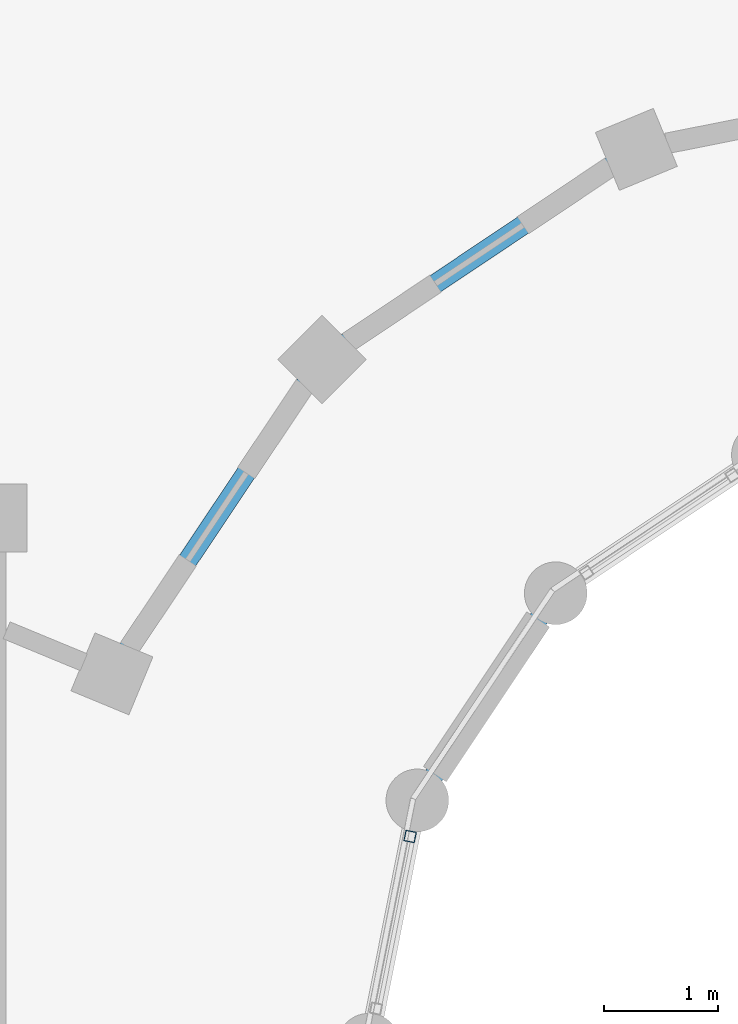
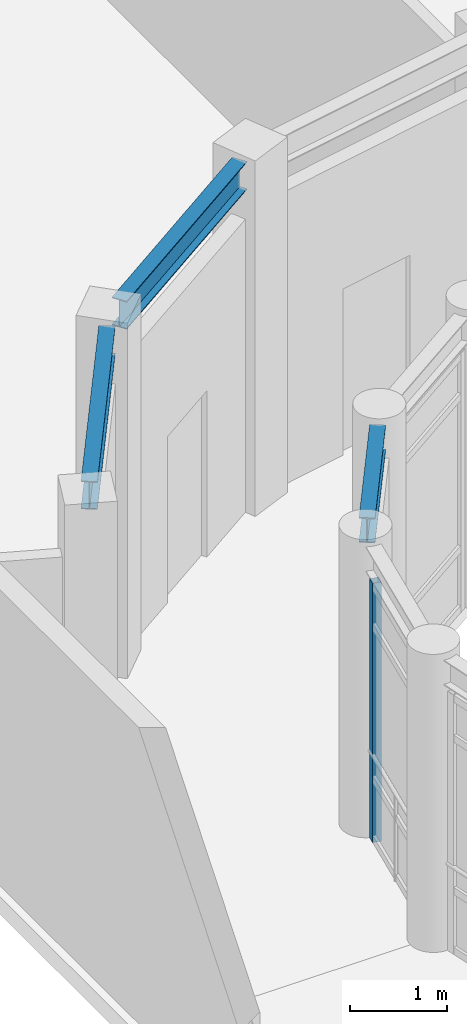
# One storey, part 77 of 149: 3 beams, 1 member, 1 element without a shape of its own.
"""IFC4 building model written with IfcOpenShell, lengths in metres."""

from ifc_helpers import new_model, si_unit, direction, frame, origin, origin_2d, place, context, subcontext, project, spatial, hollow_rectangle, i_section, extrude, material, material_profile, profile_set, type_object, element, aggregate, save


model = new_model("IFC4")

# Units and contexts
model_context = context("Model", 3, precision=1e-05, world=origin(), true_north=direction((0.0, 1.0)))
body_context = subcontext(model_context, "Body", "Model", "MODEL_VIEW")
ifc_project = project(units=[si_unit("LENGTHUNIT", "METRE"), si_unit("AREAUNIT", "SQUARE_METRE"), si_unit("VOLUMEUNIT", "CUBIC_METRE"), si_unit("PLANEANGLEUNIT", "RADIAN"), si_unit("MASSUNIT", "GRAM", prefix="KILO")], contexts=[model_context])

# Site, building, storey
site_placement = place(None, origin())
site = spatial("IfcSite", under=ifc_project, at=site_placement, CompositionType="ELEMENT")
building_placement = place(site_placement, origin())
building = spatial("IfcBuilding", under=site, at=building_placement, Name="Celadon Cloister-Ring School", CompositionType="ELEMENT")
storey_placement = place(building_placement, frame((0.0, 0.0, 12.5)))
storey = spatial("IfcBuildingStorey", under=building, at=storey_placement, Name="L03", CompositionType="ELEMENT", Elevation=12.5)

# Curtain wall, member
ifc_material_1 = material(Name="Aluminium EN AW-6063 T6", Category="aluminium")
curtain_wall_type = type_object("IfcCurtainWallType", Name="CW-05", PredefinedType="USERDEFINED", material=ifc_material_1)
curtain_wall_placement = place(storey_placement, origin())
curtain_wall = element("IfcCurtainWall", 1, at=curtain_wall_placement, inside=storey, type_object=curtain_wall_type, Name="Curtain Wall 0120", ObjectType="CURTAIN WALL", PredefinedType="USERDEFINED")
ifc_material_2 = material(Name="Aluminium EN AW-6063 T6", Category="aluminium")
ifc_material_profile_1 = material_profile(ifc_material_2, hollow_rectangle(XDim=0.094970703125, YDim=0.094970703125, WallThickness=0.00390625, at=origin_2d()), Name="RHS95X95X4")
ifc_profile_set_1 = profile_set([ifc_material_profile_1], Name="Aluminium EN AW-6063 T6")
member_type = type_object("IfcMemberType", Name="CM-02", PredefinedType="MULLION", material=ifc_profile_set_1)
member_placement = place(storey_placement, frame((14.962646484375, 98.826416015625, 0.0), z_axis=(0.0, 0.0, 1.0), x_axis=(0.980885435464, -0.194586131301, 0.0)))
member = element("IfcMember", 2, at=member_placement, type_object=member_type, Name="CW-05 mullion 1", PredefinedType="MULLION", context=body_context, shape_type="SweptSolid", body=[
    extrude(hollow_rectangle(XDim=0.094970703125, YDim=0.094970703125, WallThickness=0.00390625, at=origin_2d()), origin(), (0.0, 0.0, 1.0), 3.27490234375),
])
aggregate(curtain_wall, [member])

# Beams
ifc_material_3 = material(Name="Structural steel S355JR", Category="steel")
ifc_material_profile_2 = material_profile(ifc_material_3, i_section(OverallWidth=0.1708984375, OverallDepth=0.35498046875, WebThickness=0.007080078125, FlangeThickness=0.01171875, at=origin_2d()), Name="W360X51")
ifc_profile_set_2 = profile_set([ifc_material_profile_2], Name="Structural steel S355JR")
beam_type_1 = type_object("IfcBeamType", Name="GT-08", PredefinedType="USERDEFINED", material=ifc_profile_set_2)
beam_1_placement = place(storey_placement, frame((16.739013671875, 104.714111328125, 4.222900390625), z_axis=(-0.831315995752, -0.555800067657, 0.0), x_axis=(0.555800067657, -0.831315995752, 0.0)))
element("IfcBeam", 3, at=beam_1_placement, inside=storey, type_object=beam_type_1, Name="Beam 0823", ObjectType="GIRDER", PredefinedType="USERDEFINED", context=body_context, shape_type="SweptSolid", body=[
    extrude(i_section(OverallWidth=0.1708984375, OverallDepth=0.35498046875, WebThickness=0.007080078125, FlangeThickness=0.01171875, at=origin_2d()), origin(), (0.0, 0.0, 1.0), 2.816162109375),
])
beam_2_placement = place(storey_placement, frame((14.051025390625, 102.802001953125, 4.222900390625), z_axis=(-0.555740149771, -0.831356052442, 0.0), x_axis=(0.831356052442, -0.555740149771, 0.0)))
element("IfcBeam", 4, at=beam_2_placement, inside=storey, type_object=beam_type_1, Name="Beam 0826", ObjectType="GIRDER", PredefinedType="USERDEFINED", context=body_context, shape_type="SweptSolid", body=[
    extrude(i_section(OverallWidth=0.1708984375, OverallDepth=0.35498046875, WebThickness=0.007080078125, FlangeThickness=0.01171875, at=origin_2d()), origin(), (0.0, 0.0, 1.0), 2.81591796875),
])
ifc_material_4 = material(Name="Structural steel S355JR", Category="steel")
ifc_material_profile_3 = material_profile(ifc_material_4, i_section(OverallWidth=0.1669921875, OverallDepth=0.31689453125, WebThickness=0.007568359375, FlangeThickness=0.01318359375, at=origin_2d()), Name="W310X52")
ifc_profile_set_3 = profile_set([ifc_material_profile_3], Name="Structural steel S355JR")
beam_type_2 = type_object("IfcBeamType", Name="SP-05", PredefinedType="SPANDREL", material=ifc_profile_set_3)
beam_3_placement = place(storey_placement, frame((16.10107421875, 100.751953125, 3.51708984375), z_axis=(-0.555569328961, -0.831470216374, 0.0), x_axis=(0.831470216374, -0.555569328961, 0.0)))
element("IfcBeam", 5, at=beam_3_placement, inside=storey, type_object=beam_type_2, Name="Beam 0827", PredefinedType="SPANDREL", context=body_context, shape_type="SweptSolid", body=[
    extrude(i_section(OverallWidth=0.1669921875, OverallDepth=0.31689453125, WebThickness=0.007568359375, FlangeThickness=0.01318359375, at=origin_2d()), origin(), (0.0, 0.0, 1.0), 1.684814453125),
])

save(model, "model.ifc")
